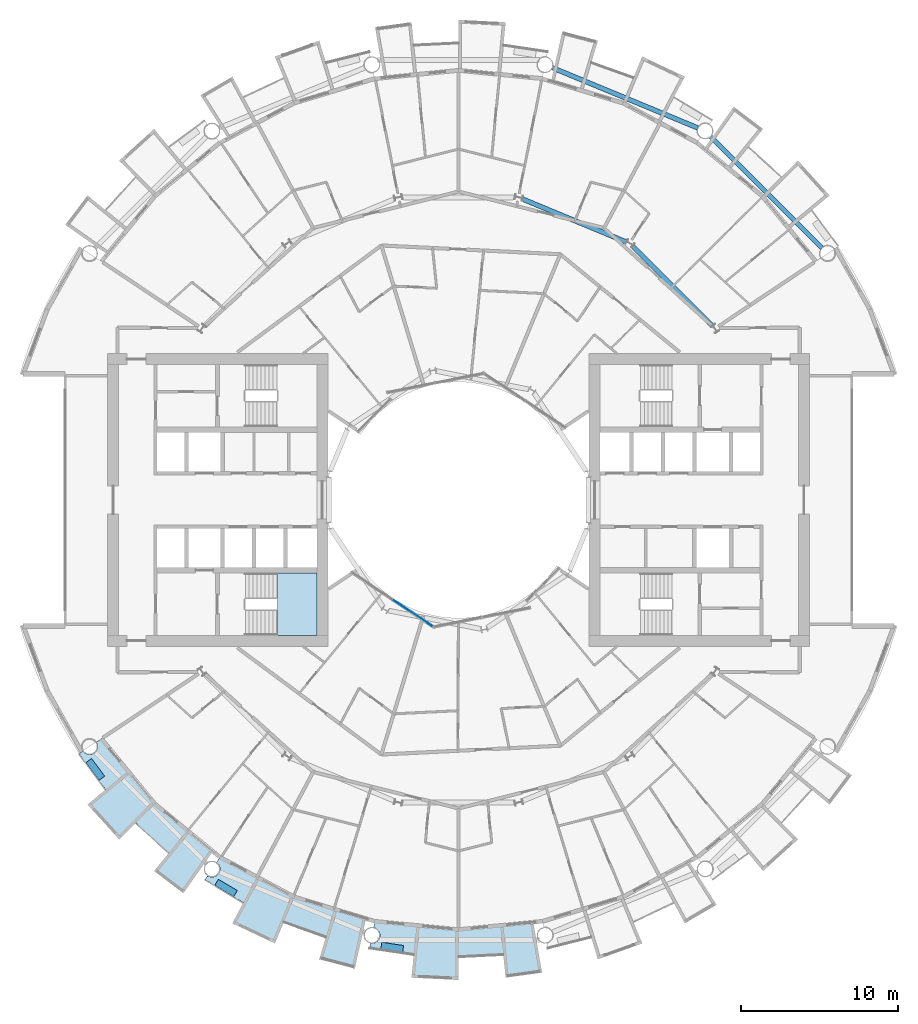
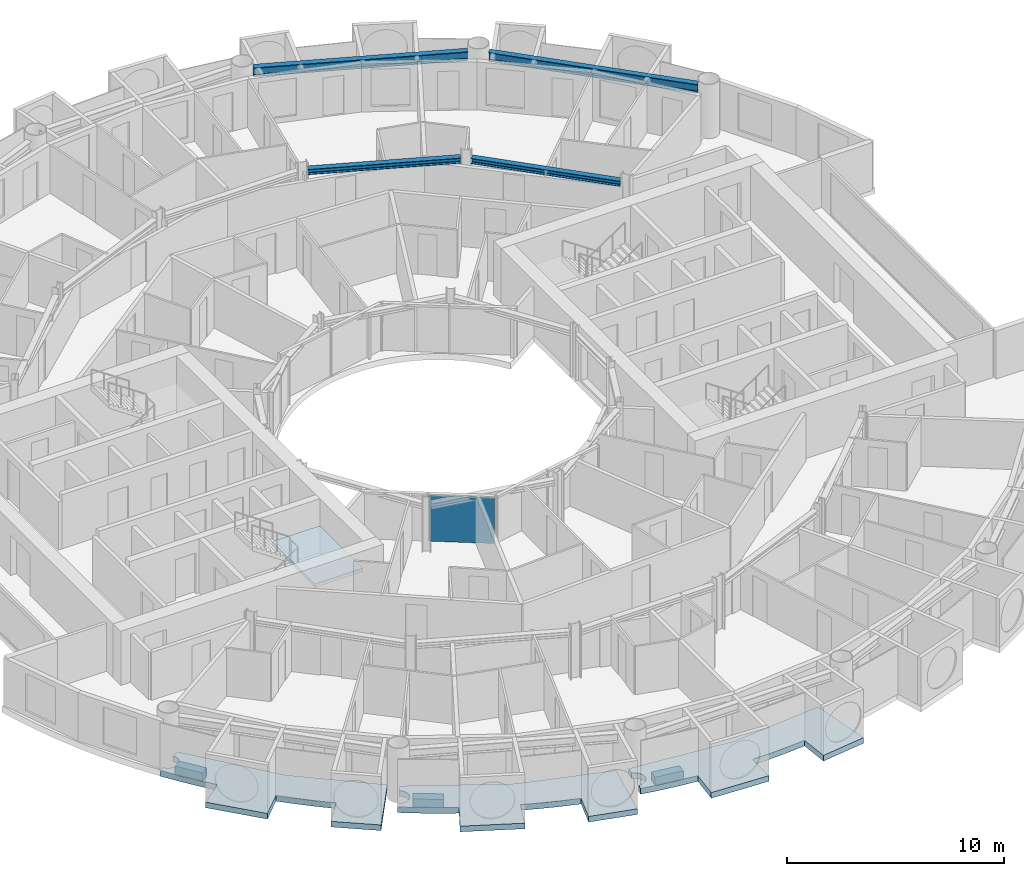
# One storey, part 9 of 26: 7 slabs, 4 beams, 1 plate, 2 elements without a shape of their own.
"""IFC4 building model written with IfcOpenShell, lengths in metres."""

import ifcopenshell
import ifcopenshell.guid

model = None  # the IFC model being written
_history = None  # IfcOwnerHistory: only IFC2X3 demands one
_inside = {}  # id of a spatial element -> (the spatial element, [elements in it])
_under = {}  # id of a project, library or spatial element -> (it, [spatial elements below it])
_declared = {}  # id of a project -> (the project, [libraries it declares])
_typed = {}  # id of a type object -> (the type object, [elements of that type])
_made_of = {}  # id of a material, layer set ... -> (it, [elements and type objects made of it])


def new_model(schema):
    """Start an empty IFC model of exactly this schema.

    Asked for "IFC4X3", IfcOpenShell would pick the latest addendum, in which some entities
    have other attributes; the version numbers below select the first issue.
    IFC2X3 requires an IfcOwnerHistory on every rooted entity: one is made here for all.
    """
    global model, _history
    if schema == "IFC4X3":
        model = ifcopenshell.file(schema_version=(4, 3, 0, 0))
    else:
        model = ifcopenshell.file(schema=schema)
    _inside.clear()
    _under.clear()
    _declared.clear()
    _typed.clear()
    _made_of.clear()
    _history = None
    if model.schema == "IFC2X3":
        org = make("IfcOrganization", Name="unknown")
        user = make(
            "IfcPersonAndOrganization",
            ThePerson=make("IfcPerson", FamilyName="unknown"),
            TheOrganization=org,
        )
        app = make(
            "IfcApplication",
            ApplicationDeveloper=org,
            Version="unknown",
            ApplicationFullName="unknown",
            ApplicationIdentifier="unknown",
        )
        _history = make(
            "IfcOwnerHistory",
            OwningUser=user,
            OwningApplication=app,
            ChangeAction="ADDED",
            CreationDate=0,
        )
    return model


def make(cls, **values):
    """One entity of the class cls with the attributes given. An attribute that is None is left unset."""
    return model.create_entity(
        cls, **{name: value for name, value in values.items() if value is not None}
    )


def rooted(cls, **values):
    """An entity with a GlobalId (a new one), such as an element, a storey or a relation."""
    return make(cls, GlobalId=ifcopenshell.guid.new(), OwnerHistory=_history, **values)


def si_unit(unit_type, name, prefix=None):
    """IfcSIUnit, for example si_unit("LENGTHUNIT", "METRE", prefix="MILLI")."""
    return make("IfcSIUnit", UnitType=unit_type, Prefix=prefix, Name=name)


def assignment(units):
    """IfcUnitAssignment: the units of a project."""
    return None if units is None else make("IfcUnitAssignment", Units=units)


def point(xyz):
    """IfcCartesianPoint."""
    return None if xyz is None else make("IfcCartesianPoint", Coordinates=xyz)


def direction(xyz):
    """IfcDirection."""
    return None if xyz is None else make("IfcDirection", DirectionRatios=xyz)


def frame(location, z_axis=None, x_axis=None):
    """IfcAxis2Placement3D, a coordinate frame: its origin and axes. An axis left out is left unset."""
    return make(
        "IfcAxis2Placement3D",
        Location=point(location),
        Axis=direction(z_axis),
        RefDirection=direction(x_axis),
    )


def frame_2d(location, x_axis=None):
    """IfcAxis2Placement2D, a coordinate frame in the plane: its origin and x axis."""
    return make(
        "IfcAxis2Placement2D", Location=point(location), RefDirection=direction(x_axis)
    )


def origin():
    """The frame at (0, 0, 0) with its axes left unset."""
    return frame((0.0, 0.0, 0.0))


def origin_2d():
    """The frame at (0, 0) in the plane with its x axis left unset."""
    return frame_2d((0.0, 0.0))


def place(relative_to, where):
    """IfcLocalPlacement: puts the frame where relative to a parent placement (None: the world)."""
    return make(
        "IfcLocalPlacement", PlacementRelTo=relative_to, RelativePlacement=where
    )


def context(
    kind, dimensions, precision=None, world=None, true_north=None, identifier=None
):
    """IfcGeometricRepresentationContext, for example the 3D "Model" context."""
    return make(
        "IfcGeometricRepresentationContext",
        ContextIdentifier=identifier,
        ContextType=kind,
        CoordinateSpaceDimension=dimensions,
        Precision=precision,
        WorldCoordinateSystem=world,
        TrueNorth=true_north,
    )


def subcontext(parent, identifier, kind, view, scale=None):
    """IfcGeometricRepresentationSubContext, for example "Body" below "Model"."""
    return make(
        "IfcGeometricRepresentationSubContext",
        ContextIdentifier=identifier,
        ContextType=kind,
        ParentContext=parent,
        TargetScale=scale,
        TargetView=view,
    )


def project(units=None, contexts=None):
    """IfcProject with its units and contexts."""
    return rooted(
        "IfcProject",
        Name="project",
        RepresentationContexts=contexts,
        UnitsInContext=assignment(units),
    )


def spatial(cls, under=None, at=None, **own):
    """A site, building, storey or space (cls), placed at a placement, below another one or the project."""
    s = rooted(cls, ObjectPlacement=at, **own)
    if under is not None:
        _under.setdefault(under.id(), (under, []))[1].append(s)
    return s


def polyline(points):
    """IfcPolyline through the points."""
    return make("IfcPolyline", Points=[point(p) for p in points])


def profile(cls, at=None, kind="AREA", **sizes):
    """A parametric profile (cls). Its sizes go by their IFC names, for example OverallWidth=200.0."""
    return make(cls, ProfileType=kind, Position=at, **sizes)


def rectangle(**sizes):
    """IfcRectangleProfileDef."""
    return profile("IfcRectangleProfileDef", **sizes)


def i_section(**sizes):
    """IfcIShapeProfileDef."""
    return profile("IfcIShapeProfileDef", **sizes)


def outline(outer, holes=None, kind="AREA"):
    """IfcArbitraryClosedProfileDef: a profile drawn as a closed curve; with holes, ...WithVoids."""
    if holes is None:
        return make("IfcArbitraryClosedProfileDef", ProfileType=kind, OuterCurve=outer)
    return make(
        "IfcArbitraryProfileDefWithVoids",
        ProfileType=kind,
        OuterCurve=outer,
        InnerCurves=holes,
    )


def extrude(swept, where, along, depth):
    """IfcExtrudedAreaSolid: the profile swept, set in the frame where, extruded along a direction by depth."""
    return make(
        "IfcExtrudedAreaSolid",
        SweptArea=swept,
        Position=where,
        ExtrudedDirection=direction(along),
        Depth=depth,
    )


def shape(context_of_items, identifier, shape_type, items):
    """IfcShapeRepresentation: the items that make up one representation, for example the "Body"."""
    return make(
        "IfcShapeRepresentation",
        ContextOfItems=context_of_items,
        RepresentationIdentifier=identifier,
        RepresentationType=shape_type,
        Items=items,
    )


def material(Name=None, Category=None):
    """IfcMaterial."""
    return make("IfcMaterial", Name=Name, Category=Category)


def layer(
    of_material, thickness, ventilated=None, Name=None, Category=None, Priority=None
):
    """IfcMaterialLayer: one layer of a wall or slab, of a material (None: an air gap)."""
    return make(
        "IfcMaterialLayer",
        Material=of_material,
        LayerThickness=thickness,
        IsVentilated=ventilated,
        Name=Name,
        Category=Category,
        Priority=Priority,
    )


def layer_set(layers, Name=None):
    """IfcMaterialLayerSet."""
    return make("IfcMaterialLayerSet", MaterialLayers=layers, LayerSetName=Name)


def material_profile(
    of_material, cross_section, Name=None, Category=None, Priority=None
):
    """IfcMaterialProfile: a cross section and its material."""
    return make(
        "IfcMaterialProfile",
        Name=Name,
        Material=of_material,
        Profile=cross_section,
        Priority=Priority,
        Category=Category,
    )


def profile_set(profiles, Name=None, composite=None):
    """IfcMaterialProfileSet."""
    return make(
        "IfcMaterialProfileSet",
        Name=Name,
        MaterialProfiles=profiles,
        CompositeProfile=composite,
    )


def made_of(thing, what):
    """Note that an element or type object is made of a material, layer set ...; save() writes the relation."""
    if what is not None:
        _made_of.setdefault(what.id(), (what, []))[1].append(thing)
    return thing


def type_object(cls, material=None, **own):
    """A type object (cls), such as IfcWallType, which elements share."""
    return made_of(rooted(cls, **own), material)


def element(
    cls,
    number,
    at=None,
    inside=None,
    cuts=None,
    type_object=None,
    material=None,
    context=None,
    identifier="Body",
    shape_type=None,
    held_by="IfcProductDefinitionShape",
    body=None,
    shapes=None,
    **own,
):
    """One element of the class cls, such as IfcWall. Its Tag is "e" and its number.

    at: its placement. inside: the storey or other place that contains it. cuts: it is an
    opening in that element (IfcRelVoidsElement). A single representation is given by context,
    identifier, shape_type and body (its items); several are given by shapes. held_by: the class
    of the entity that holds the representations. save() writes the other relations.
    """
    e = rooted(cls, Tag="e%d" % number, ObjectPlacement=at, **own)
    if body is not None:
        shapes = [shape(context, identifier, shape_type, body)]
    if shapes is not None:
        e.Representation = make(held_by, Representations=shapes)
    if inside is not None:
        _inside.setdefault(inside.id(), (inside, []))[1].append(e)
    if cuts is not None:
        rooted(
            "IfcRelVoidsElement", RelatingBuildingElement=cuts, RelatedOpeningElement=e
        )
    if type_object is not None:
        _typed.setdefault(type_object.id(), (type_object, []))[1].append(e)
    return made_of(e, material)


def aggregate(whole, parts):
    """IfcRelAggregates: a whole, such as a stair, and the parts it consists of."""
    return rooted("IfcRelAggregates", RelatingObject=whole, RelatedObjects=parts)


def save(model, path):
    """Write the relations noted so far, then the file.

    IfcRelAggregates (storeys below a building ...), IfcRelContainedInSpatialStructure (elements
    in a storey), IfcRelDefinesByType, IfcRelAssociatesMaterial and IfcRelDeclares: one each for
    every whole, place, type object, material and project.
    """
    for whole, parts in _under.values():
        aggregate(whole, parts)
    for where, things in _inside.values():
        rooted(
            "IfcRelContainedInSpatialStructure",
            RelatedElements=things,
            RelatingStructure=where,
        )
    for kind, things in _typed.values():
        rooted("IfcRelDefinesByType", RelatedObjects=things, RelatingType=kind)
    for what, things in _made_of.values():
        rooted("IfcRelAssociatesMaterial", RelatedObjects=things, RelatingMaterial=what)
    for by, libraries in _declared.values():
        rooted("IfcRelDeclares", RelatingContext=by, RelatedDefinitions=libraries)
    model.write(path)


model = new_model("IFC4")

# Units and contexts
model_context = context("Model", 3, precision=1e-05, world=origin(), true_north=direction((0.0, 1.0)))
body_context = subcontext(model_context, "Body", "Model", "MODEL_VIEW")
ifc_project = project(units=[si_unit("LENGTHUNIT", "METRE"), si_unit("AREAUNIT", "SQUARE_METRE"), si_unit("VOLUMEUNIT", "CUBIC_METRE"), si_unit("PLANEANGLEUNIT", "RADIAN"), si_unit("MASSUNIT", "GRAM", prefix="KILO")], contexts=[model_context])

# Site, building, storey
site_placement = place(None, origin())
site = spatial("IfcSite", under=ifc_project, at=site_placement, CompositionType="ELEMENT")
building_placement = place(site_placement, origin())
building = spatial("IfcBuilding", under=site, at=building_placement, Name="Maasbend Ring Residences", CompositionType="ELEMENT")
storey_placement = place(building_placement, frame((0.0, 0.0, 84.949951171875)))
storey = spatial("IfcBuildingStorey", under=building, at=storey_placement, Name="L24", CompositionType="ELEMENT", Elevation=84.949951171875)

# Beams
ifc_material_1 = material(Name="Steel S355J2", Category="steel")
ifc_material_profile_1 = material_profile(ifc_material_1, i_section(OverallWidth=0.300048828125, OverallDepth=0.300048828125, WebThickness=0.010986328125, FlangeThickness=0.01904296875, FilletRadius=0.027099609375, at=origin_2d()), Name="HEB 300")
ifc_profile_set_1 = profile_set([ifc_material_profile_1], Name="Steel S355J2")
beam_type_1 = type_object("IfcBeamType", Name="Corridor ring beam HEB 300", PredefinedType="BEAM", material=ifc_profile_set_1)
for number, where, z_axis, x_axis, name in (
    (1, (16.10791015625, 11.078125, 2.550048828125), (-0.707106781187, 0.707106781187, 0.0), (-0.707106781187, -0.707106781187, 0.0), "Corridor ring beam"),
    (2, (10.642333984375, 16.39892578125, 2.550048828125), (-0.923877113721, 0.382689271788, 0.0), (-0.382689271788, -0.923877113721, 0.0), "Corridor ring beam"),
):
    element("IfcBeam", number, at=place(storey_placement, frame(where, z_axis=z_axis, x_axis=x_axis)), inside=storey, type_object=beam_type_1, Name=name, PredefinedType="BEAM", context=body_context, shape_type="SweptSolid", body=[
        extrude(i_section(OverallWidth=0.300048828125, OverallDepth=0.300048828125, WebThickness=0.010986328125, FlangeThickness=0.01904296875, FilletRadius=0.027099609375, at=origin_2d()), origin(), (0.0, 0.0, 1.0), 7.11328125),
    ])
ifc_material_2 = material(Name="Steel S355J2", Category="steel")
ifc_material_profile_2 = material_profile(ifc_material_2, i_section(OverallWidth=0.300048828125, OverallDepth=0.5, WebThickness=0.014404296875, FlangeThickness=0.028076171875, FilletRadius=0.027099609375, at=origin_2d()), Name="HEB 500")
ifc_profile_set_2 = profile_set([ifc_material_profile_2], Name="Steel S355J2")
beam_type_2 = type_object("IfcBeamType", Name="Spandrel ring beam HEB 500", PredefinedType="SPANDREL", material=ifc_profile_set_2)
beam_1_placement = place(storey_placement, frame((23.088134765625, 16.0263671875, 2.449951171875), z_axis=(-0.707106781187, 0.707106781187, 0.0), x_axis=(-0.707106781187, -0.707106781187, 0.0)))
element("IfcBeam", 3, at=beam_1_placement, inside=storey, type_object=beam_type_2, Name="Spandrel ring beam", PredefinedType="SPANDREL", context=body_context, shape_type="SweptSolid", body=[
    extrude(i_section(OverallWidth=0.300048828125, OverallDepth=0.5, WebThickness=0.014404296875, FlangeThickness=0.028076171875, FilletRadius=0.027099609375, at=origin_2d()), origin(), (0.0, 0.0, 1.0), 9.98681640625),
])
beam_2_placement = place(storey_placement, frame((15.19775390625, 23.641845703125, 2.449951171875), z_axis=(-0.923886337442, 0.382667003395, 0.0), x_axis=(-0.382667003395, -0.923886337442, 0.0)))
element("IfcBeam", 4, at=beam_2_placement, inside=storey, type_object=beam_type_2, Name="Spandrel ring beam", PredefinedType="SPANDREL", context=body_context, shape_type="SweptSolid", body=[
    extrude(i_section(OverallWidth=0.300048828125, OverallDepth=0.5, WebThickness=0.014404296875, FlangeThickness=0.028076171875, FilletRadius=0.027099609375, at=origin_2d()), origin(), (0.0, 0.0, 1.0), 9.9873046875),
])

# Stair, slab
ifc_material_3 = material(Name="Concrete C40/50", Category="concrete")
stair_type = type_object("IfcStairType", Name="CORE STAIR 18 RISERS", PredefinedType="HALF_TURN_STAIR", material=ifc_material_3)
stair_placement = place(storey_placement, origin())
stair = element("IfcStair", 5, at=stair_placement, inside=storey, type_object=stair_type, Name="L24 Exit stair ST-W1", PredefinedType="HALF_TURN_STAIR")
ifc_material_4 = material(Name="Concrete C40/50", Category="concrete")
ifc_layer_1 = layer(ifc_material_4, 0.199951171875)
ifc_layer_set_1 = layer_set([ifc_layer_1], Name="Concrete C40/50")
slab_type_1 = type_object("IfcSlabType", Name="CORE STAIR LANDING 200", PredefinedType="LANDING", material=ifc_layer_set_1)
slab_1_placement = place(storey_placement, frame((0.0, 0.0, 1.324951171875)))
slab_1 = element("IfcSlab", 6, at=slab_1_placement, type_object=slab_type_1, Name="ST-W1 landing 1", PredefinedType="LANDING", context=body_context, shape_type="SweptSolid", body=[
    extrude(outline(polyline([(-11.550048828125, -8.60009765625), (-9.0, -8.60009765625), (-9.0, -4.64990234375), (-11.550048828125, -4.64990234375), (-11.550048828125, -8.60009765625)])), origin(), (0.0, 0.0, 1.0), 0.2001953125),
])
aggregate(stair, [slab_1])

# Curtain wall, plate
ifc_material_5 = material(Name="Aluminium and clear glass", Category="aluminium")
ifc_layer_2 = layer(ifc_material_5, 0.179931640625)
ifc_layer_set_2 = layer_set([ifc_layer_2], Name="CW-W")
curtain_wall_type = type_object("IfcCurtainWallType", Name="CW-W", PredefinedType="NOTDEFINED", material=ifc_layer_set_2)
curtain_wall_placement = place(storey_placement, origin())
curtain_wall = element("IfcCurtainWall", 7, at=curtain_wall_placement, inside=storey, type_object=curtain_wall_type, Name="Well curtain wall S1", PredefinedType="NOTDEFINED")
ifc_material_6 = material(Name="Glass clear laminated", Category="glass")
ifc_layer_3 = layer(ifc_material_6, 0.031982421875)
ifc_layer_set_3 = layer_set([ifc_layer_3], Name="CWP-W")
plate_type = type_object("IfcPlateType", Name="CWP-W", PredefinedType="CURTAIN_PANEL", material=ifc_layer_set_3)
plate_placement = place(storey_placement, frame((-2.922119140625, -7.17578125, 0.0), z_axis=(0.0, 0.0, 1.0), x_axis=(0.831469612303, -0.55557023302, 0.0)))
plate = element("IfcPlate", 8, at=plate_placement, type_object=plate_type, Name="Glass panel well face", PredefinedType="CURTAIN_PANEL", context=body_context, shape_type="SweptSolid", body=[
    extrude(rectangle(XDim=3.053955078125, YDim=0.031982421875, at=origin_2d()), origin(), (0.0, 0.0, 1.0), 2.580078125),
])
aggregate(curtain_wall, [plate])

# Slabs
ifc_material_7 = material(Name="Planting with climbing greenery")
ifc_layer_4 = layer(ifc_material_7, 0.449951171875)
ifc_layer_set_4 = layer_set([ifc_layer_4], Name="PLANTER-LG")
slab_type_2 = type_object("IfcSlabType", Name="PLANTER-LG", PredefinedType="USERDEFINED", material=ifc_layer_set_4)
slab_2_placement = place(storey_placement, frame((0.0, 0.0, -0.030029296875)))
element("IfcSlab", 9, at=slab_2_placement, inside=storey, type_object=slab_type_2, Name="Planter with climbing greenery 1", ObjectType="PLANTER", PredefinedType="USERDEFINED", context=body_context, shape_type="SweptSolid", body=[
    extrude(outline(polyline([(-23.681884765625, -16.69189453125), (-22.847900390625, -17.81689453125), (-22.487060546875, -17.549072265625), (-23.321044921875, -16.424072265625), (-23.681884765625, -16.69189453125)])), origin(), (0.0, 0.0, 1.0), 0.4501953125),
])
slab_3_placement = place(storey_placement, frame((0.0, 0.0, -0.030029296875)))
element("IfcSlab", 10, at=slab_3_placement, inside=storey, type_object=slab_type_2, Name="Planter with climbing greenery 2", ObjectType="PLANTER", PredefinedType="USERDEFINED", context=body_context, shape_type="SweptSolid", body=[
    extrude(outline(polyline([(-15.490966796875, -24.48388671875), (-14.291015625, -25.2041015625), (-14.05908203125, -24.818115234375), (-15.260009765625, -24.097900390625), (-15.490966796875, -24.48388671875)])), origin(), (0.0, 0.0, 1.0), 0.4501953125),
])
slab_4_placement = place(storey_placement, frame((0.0, 0.0, -0.030029296875)))
element("IfcSlab", 11, at=slab_4_placement, inside=storey, type_object=slab_type_2, Name="Planter with climbing greenery 3", ObjectType="PLANTER", PredefinedType="USERDEFINED", context=body_context, shape_type="SweptSolid", body=[
    extrude(outline(polyline([(-4.94189453125, -28.549072265625), (-3.55810546875, -28.75390625), (-3.491943359375, -28.30908203125), (-4.8759765625, -28.10400390625), (-4.94189453125, -28.549072265625)])), origin(), (0.0, 0.0, 1.0), 0.4501953125),
])
ifc_material_8 = material(Name="Concrete C40/50", Category="concrete")
ifc_layer_5 = layer(ifc_material_8, 0.199951171875)
ifc_layer_set_5 = layer_set([ifc_layer_5], Name="Concrete C40/50")
slab_type_3 = type_object("IfcSlabType", Name="SL-LOGGIA", PredefinedType="FLOOR", material=ifc_layer_set_5)
slab_5_placement = place(storey_placement, frame((0.0, 0.0, -0.349853515625)))
element("IfcSlab", 12, at=slab_5_placement, inside=storey, type_object=slab_type_3, Name="Loggia floor 1", PredefinedType="FLOOR", context=body_context, shape_type="SweptSolid", body=[
    extrude(outline(polyline([(-15.9169921875, -23.888916015625), (-15.906982421875, -23.89501953125), (-15.89599609375, -23.90087890625), (-15.884033203125, -23.906982421875), (-15.873046875, -23.912109375), (-15.862060546875, -23.9169921875), (-15.85009765625, -23.9208984375), (-15.837890625, -23.926025390625), (-15.825927734375, -23.929931640625), (-15.81494140625, -23.93408203125), (-15.802978515625, -23.93701171875), (-15.791015625, -23.93994140625), (-15.778076171875, -23.943115234375), (-15.76611328125, -23.946044921875), (-15.75390625, -23.947998046875), (-15.741943359375, -23.949951171875), (-15.72900390625, -23.951904296875), (-15.717041015625, -23.952880859375), (-15.7041015625, -23.9541015625), (-15.69189453125, -23.955078125), (-15.679931640625, -23.955078125), (-15.6669921875, -23.955078125), (-15.655029296875, -23.955078125), (-15.64208984375, -23.955078125), (-15.6298828125, -23.9541015625), (-15.616943359375, -23.952880859375), (-15.60498046875, -23.951904296875), (-15.593017578125, -23.949951171875), (-15.580078125, -23.947998046875), (-15.568115234375, -23.946044921875), (-15.555908203125, -23.943115234375), (-15.5439453125, -23.93994140625), (-15.531982421875, -23.93701171875), (-15.52001953125, -23.93408203125), (-15.508056640625, -23.929931640625), (-15.49609375, -23.926025390625), (-15.48388671875, -23.9208984375), (-15.472900390625, -23.9169921875), (-15.4609375, -23.912109375), (-15.449951171875, -23.906982421875), (-15.43896484375, -23.90087890625), (-15.427978515625, -23.89501953125), (-15.4169921875, -23.888916015625), (-15.406005859375, -23.883056640625), (-15.39501953125, -23.876953125), (-15.385009765625, -23.8701171875), (-15.375, -23.863037109375), (-15.364013671875, -23.85498046875), (-15.35498046875, -23.847900390625), (-15.344970703125, -23.840087890625), (-15.3349609375, -23.83203125), (-15.325927734375, -23.823974609375), (-15.31689453125, -23.81494140625), (-15.30810546875, -23.806884765625), (-15.299072265625, -23.798095703125), (-15.291015625, -23.7890625), (-15.281982421875, -23.779052734375), (-15.27392578125, -23.77001953125), (-15.26708984375, -23.760009765625), (-15.259033203125, -23.75), (-15.251953125, -23.739990234375), (-15.2451171875, -23.72998046875), (-15.238037109375, -23.718994140625), (-15.23095703125, -23.708984375), (-15.22509765625, -23.697998046875), (-15.218994140625, -23.68701171875), (-15.212890625, -23.676025390625), (-15.2080078125, -23.6650390625), (-15.202880859375, -23.653076171875), (-15.197998046875, -23.64208984375), (-15.193115234375, -23.6298828125), (-15.18896484375, -23.618896484375), (-15.18505859375, -23.60693359375), (-15.180908203125, -23.594970703125), (-15.177978515625, -23.5830078125), (-15.174072265625, -23.571044921875), (-15.1708984375, -23.55908203125), (-15.1689453125, -23.547119140625), (-15.1669921875, -23.533935546875), (-15.1650390625, -23.52197265625), (-15.1630859375, -23.510009765625), (-15.162109375, -23.4970703125), (-15.159912109375, -23.485107421875), (-15.159912109375, -23.471923828125), (-15.158935546875, -23.4599609375), (-15.158935546875, -23.447021484375), (-15.158935546875, -23.43505859375), (-15.159912109375, -23.422119140625), (-15.159912109375, -23.409912109375), (-15.162109375, -23.39794921875), (-15.1630859375, -23.385009765625), (-15.1650390625, -23.373046875), (-15.1669921875, -23.361083984375), (-15.1689453125, -23.347900390625), (-15.1708984375, -23.3359375), (-15.174072265625, -23.323974609375), (-15.177978515625, -23.31201171875), (-15.180908203125, -23.300048828125), (-15.18505859375, -23.2880859375), (-15.18896484375, -23.27587890625), (-15.193115234375, -23.264892578125), (-15.197998046875, -23.2529296875), (-15.202880859375, -23.241943359375), (-15.2080078125, -23.22998046875), (-15.212890625, -23.218994140625), (-15.218994140625, -23.2080078125), (-15.22509765625, -23.197021484375), (-15.23095703125, -23.18603515625), (-15.238037109375, -23.176025390625), (-15.2451171875, -23.1650390625), (-15.251953125, -23.155029296875), (-15.259033203125, -23.14501953125), (-15.26708984375, -23.135009765625), (-15.27392578125, -23.125), (-15.281982421875, -23.115966796875), (-15.291015625, -23.10595703125), (-15.299072265625, -23.096923828125), (-15.30810546875, -23.087890625), (-15.31689453125, -23.0791015625), (-15.325927734375, -23.071044921875), (-15.3349609375, -23.06298828125), (-15.344970703125, -23.054931640625), (-15.35498046875, -23.047119140625), (-15.364013671875, -23.0390625), (-15.375, -23.031982421875), (-15.385009765625, -23.02490234375), (-15.1669921875, -22.698974609375), (-15.1669921875, -22.698974609375), (-15.1669921875, -22.698974609375), (-12.806884765625, -23.9609375), (-10.447021484375, -25.221923828125), (-10.447021484375, -25.221923828125), (-10.447021484375, -25.221923828125), (-7.886962890625, -25.9990234375), (-5.89111328125, -26.60400390625), (-5.89111328125, -26.60400390625), (-5.89111328125, -26.60400390625), (-6.593994140625, -29.779052734375), (-6.593994140625, -29.779052734375), (-6.593994140625, -29.779052734375), (-8.85400390625, -29.18701171875), (-8.85400390625, -29.18701171875), (-8.85400390625, -29.18701171875), (-8.41796875, -27.751953125), (-8.41796875, -27.751953125), (-8.41796875, -27.751953125), (-8.41796875, -27.751953125), (-8.41796875, -27.751953125), (-8.41796875, -27.751953125), (-8.41796875, -27.7509765625), (-8.41796875, -27.7509765625), (-8.41796875, -27.7509765625), (-8.41796875, -27.7509765625), (-8.41796875, -27.7509765625), (-8.4189453125, -27.7509765625), (-8.4189453125, -27.7509765625), (-8.4189453125, -27.7509765625), (-8.4189453125, -27.7509765625), (-8.4189453125, -27.7509765625), (-8.4189453125, -27.7509765625), (-9.322021484375, -27.4609375), (-9.322021484375, -27.4609375), (-10.215087890625, -27.14111328125), (-10.215087890625, -27.14111328125), (-11.096923828125, -26.79296875), (-11.096923828125, -26.79296875), (-11.096923828125, -26.79296875), (-11.097900390625, -26.79296875), (-11.097900390625, -26.79296875), (-11.097900390625, -26.79296875), (-11.097900390625, -26.79296875), (-11.097900390625, -26.79296875), (-11.097900390625, -26.79296875), (-11.097900390625, -26.79296875), (-11.097900390625, -26.79296875), (-11.097900390625, -26.79296875), (-11.097900390625, -26.79296875), (-11.097900390625, -26.79296875), (-11.097900390625, -26.79296875), (-11.097900390625, -26.79296875), (-11.097900390625, -26.79296875), (-11.672119140625, -28.177978515625), (-11.672119140625, -28.177978515625), (-11.672119140625, -28.177978515625), (-14.3779296875, -26.89892578125), (-14.3779296875, -26.89892578125), (-14.3779296875, -26.89892578125), (-13.6708984375, -25.575927734375), (-13.6708984375, -25.575927734375), (-13.6708984375, -25.575927734375), (-13.6708984375, -25.575927734375), (-13.6708984375, -25.575927734375), (-13.6708984375, -25.575927734375), (-13.6708984375, -25.575927734375), (-13.6708984375, -25.575927734375), (-13.6708984375, -25.575927734375), (-13.6708984375, -25.575927734375), (-13.6708984375, -25.575927734375), (-13.6708984375, -25.575927734375), (-13.6708984375, -25.575927734375), (-13.6708984375, -25.575927734375), (-13.6708984375, -25.575927734375), (-13.6708984375, -25.575927734375), (-13.6708984375, -25.574951171875), (-14.5, -25.114990234375), (-14.5, -25.114990234375), (-15.31396484375, -24.626953125), (-15.31396484375, -24.626953125), (-16.112060546875, -24.113037109375), (-16.112060546875, -24.113037109375), (-16.112060546875, -24.113037109375), (-15.948974609375, -23.8701171875), (-15.93896484375, -23.876953125), (-15.927978515625, -23.883056640625), (-15.9169921875, -23.888916015625)])), origin(), (0.0, 0.0, 1.0), 0.31982421875),
])
slab_6_placement = place(storey_placement, frame((0.0, 0.0, -0.349853515625)))
element("IfcSlab", 13, at=slab_6_placement, inside=storey, type_object=slab_type_3, Name="Loggia floor 3", PredefinedType="FLOOR", context=body_context, shape_type="SweptSolid", body=[
    extrude(outline(polyline([(-2.6630859375, -27.0380859375), (0.0, -27.300048828125), (0.0, -27.300048828125), (0.0, -27.300048828125), (2.6630859375, -27.0380859375), (4.739013671875, -26.8330078125), (4.739013671875, -26.8330078125), (4.739013671875, -26.8330078125), (5.303955078125, -30.034912109375), (5.303955078125, -30.034912109375), (5.303955078125, -30.034912109375), (2.989990234375, -30.35302734375), (2.989990234375, -30.35302734375), (2.989990234375, -30.35302734375), (2.843017578125, -28.861083984375), (2.843017578125, -28.861083984375), (2.843017578125, -28.861083984375), (2.843017578125, -28.861083984375), (2.842041015625, -28.861083984375), (2.842041015625, -28.861083984375), (2.842041015625, -28.861083984375), (2.842041015625, -28.861083984375), (2.842041015625, -28.861083984375), (2.842041015625, -28.860107421875), (2.842041015625, -28.860107421875), (2.842041015625, -28.860107421875), (2.842041015625, -28.860107421875), (2.842041015625, -28.860107421875), (2.842041015625, -28.860107421875), (2.842041015625, -28.860107421875), (2.842041015625, -28.860107421875), (1.89697265625, -28.93798828125), (1.89697265625, -28.93798828125), (0.948974609375, -28.98388671875), (0.948974609375, -28.98388671875), (0.0, -29.0), (0.0, -29.0), (0.0, -29.0), (0.0, -29.0), (0.0, -29.0), (0.0, -29.0), (0.0, -29.0), (0.0, -29.0), (0.0, -29.0), (0.0, -29.0), (0.0, -29.0), (0.0, -29.0), (0.0, -29.0), (0.0, -29.0), (0.0, -29.0), (0.0, -29.0), (0.0, -29.0), (0.0, -30.5), (0.0, -30.5), (0.0, -30.5), (-2.989990234375, -30.35302734375), (-2.989990234375, -30.35302734375), (-2.989990234375, -30.35302734375), (-2.843017578125, -28.861083984375), (-2.843017578125, -28.861083984375), (-2.843017578125, -28.861083984375), (-2.843017578125, -28.861083984375), (-2.843017578125, -28.861083984375), (-2.843017578125, -28.861083984375), (-2.843017578125, -28.861083984375), (-2.843017578125, -28.861083984375), (-2.843017578125, -28.860107421875), (-2.843017578125, -28.860107421875), (-2.843017578125, -28.860107421875), (-2.843017578125, -28.860107421875), (-2.843017578125, -28.860107421875), (-2.843017578125, -28.860107421875), (-2.843017578125, -28.860107421875), (-2.843017578125, -28.860107421875), (-2.843017578125, -28.860107421875), (-3.784912109375, -28.751953125), (-3.784912109375, -28.751953125), (-4.72412109375, -28.613037109375), (-4.72412109375, -28.613037109375), (-5.657958984375, -28.443115234375), (-5.657958984375, -28.443115234375), (-5.657958984375, -28.443115234375), (-5.60107421875, -28.156005859375), (-5.60107421875, -28.156005859375), (-5.587890625, -28.158935546875), (-5.575927734375, -28.160888671875), (-5.56396484375, -28.162109375), (-5.551025390625, -28.1640625), (-5.5390625, -28.1650390625), (-5.52587890625, -28.1650390625), (-5.513916015625, -28.166015625), (-5.501953125, -28.166015625), (-5.489013671875, -28.166015625), (-5.47705078125, -28.1650390625), (-5.464111328125, -28.1650390625), (-5.451904296875, -28.1640625), (-5.43896484375, -28.162109375), (-5.427001953125, -28.160888671875), (-5.4150390625, -28.158935546875), (-5.402099609375, -28.156005859375), (-5.389892578125, -28.154052734375), (-5.3779296875, -28.15087890625), (-5.365966796875, -28.14794921875), (-5.35400390625, -28.14404296875), (-5.342041015625, -28.139892578125), (-5.330078125, -28.135986328125), (-5.319091796875, -28.132080078125), (-5.306884765625, -28.126953125), (-5.2958984375, -28.123046875), (-5.283935546875, -28.116943359375), (-5.27294921875, -28.112060546875), (-5.261962890625, -28.10595703125), (-5.2509765625, -28.10009765625), (-5.239990234375, -28.093994140625), (-5.22998046875, -28.0869140625), (-5.218994140625, -28.080078125), (-5.208984375, -28.072998046875), (-5.198974609375, -28.06591796875), (-5.18896484375, -28.05908203125), (-5.178955078125, -28.051025390625), (-5.169921875, -28.04296875), (-5.159912109375, -28.034912109375), (-5.15087890625, -28.02587890625), (-5.14208984375, -28.01708984375), (-5.134033203125, -28.008056640625), (-5.125, -27.9990234375), (-5.116943359375, -27.989990234375), (-5.10888671875, -27.97998046875), (-5.10107421875, -27.970947265625), (-5.093017578125, -27.9609375), (-5.0859375, -27.950927734375), (-5.0791015625, -27.93994140625), (-5.072021484375, -27.929931640625), (-5.06591796875, -27.9189453125), (-5.05908203125, -27.907958984375), (-5.052978515625, -27.89794921875), (-5.048095703125, -27.886962890625), (-5.0419921875, -27.875), (-5.037109375, -27.864013671875), (-5.031982421875, -27.85302734375), (-5.028076171875, -27.841064453125), (-5.02294921875, -27.8291015625), (-5.01904296875, -27.81689453125), (-5.014892578125, -27.805908203125), (-5.011962890625, -27.7939453125), (-5.009033203125, -27.781982421875), (-5.006103515625, -27.76904296875), (-5.0029296875, -27.757080078125), (-5.0009765625, -27.7451171875), (-4.9990234375, -27.73291015625), (-4.9970703125, -27.719970703125), (-4.99609375, -27.7080078125), (-4.9951171875, -27.695068359375), (-4.993896484375, -27.68310546875), (-4.993896484375, -27.6708984375), (-4.993896484375, -27.657958984375), (-4.993896484375, -27.64599609375), (-4.993896484375, -27.633056640625), (-4.9951171875, -27.62109375), (-4.99609375, -27.60791015625), (-4.9970703125, -27.595947265625), (-4.9990234375, -27.583984375), (-5.0009765625, -27.571044921875), (-5.0029296875, -27.55908203125), (-5.006103515625, -27.547119140625), (-5.009033203125, -27.534912109375), (-5.011962890625, -27.52294921875), (-5.014892578125, -27.510986328125), (-5.01904296875, -27.4990234375), (-5.02294921875, -27.487060546875), (-5.028076171875, -27.47509765625), (-5.031982421875, -27.464111328125), (-5.037109375, -27.451904296875), (-5.0419921875, -27.44091796875), (-5.048095703125, -27.429931640625), (-5.052978515625, -27.4189453125), (-5.05908203125, -27.407958984375), (-5.06591796875, -27.39697265625), (-5.072021484375, -27.385986328125), (-5.0791015625, -27.3759765625), (-5.0859375, -27.365966796875), (-5.093017578125, -27.35498046875), (-5.10107421875, -27.345947265625), (-5.10888671875, -27.3359375), (-5.116943359375, -27.325927734375), (-5.125, -27.31689453125), (-5.134033203125, -27.30810546875), (-5.14208984375, -27.299072265625), (-5.15087890625, -27.2900390625), (-5.159912109375, -27.281982421875), (-5.169921875, -27.27294921875), (-5.178955078125, -27.264892578125), (-5.18896484375, -27.258056640625), (-5.198974609375, -27.25), (-5.208984375, -27.242919921875), (-5.218994140625, -27.236083984375), (-5.22998046875, -27.22900390625), (-5.239990234375, -27.221923828125), (-5.2509765625, -27.216064453125), (-5.261962890625, -27.2099609375), (-5.27294921875, -27.2041015625), (-5.283935546875, -27.198974609375), (-5.2958984375, -27.194091796875), (-5.306884765625, -27.18896484375), (-5.319091796875, -27.18408203125), (-5.330078125, -27.179931640625), (-5.342041015625, -27.176025390625), (-5.35400390625, -27.172119140625), (-5.365966796875, -27.1689453125), (-5.3779296875, -27.1650390625), (-5.389892578125, -27.162109375), (-5.402099609375, -27.159912109375), (-5.402099609375, -27.159912109375), (-5.325927734375, -26.77490234375), (-5.325927734375, -26.77490234375), (-5.325927734375, -26.77490234375), (-2.6630859375, -27.0380859375)])), origin(), (0.0, 0.0, 1.0), 0.31982421875),
])
slab_7_placement = place(storey_placement, frame((0.0, 0.0, -0.349853515625)))
element("IfcSlab", 14, at=slab_7_placement, inside=storey, type_object=slab_type_3, Name="Loggia floor 4", PredefinedType="FLOOR", context=body_context, shape_type="SweptSolid", body=[
    extrude(outline(polyline([(-23.85498046875, -15.969970703125), (-23.847900390625, -15.97998046875), (-23.840087890625, -15.989013671875), (-23.83203125, -15.9990234375), (-23.823974609375, -16.008056640625), (-23.81494140625, -16.01708984375), (-23.806884765625, -16.02587890625), (-23.798095703125, -16.034912109375), (-23.7890625, -16.0439453125), (-23.779052734375, -16.052001953125), (-23.77001953125, -16.06005859375), (-23.760009765625, -16.068115234375), (-23.75, -16.074951171875), (-23.739990234375, -16.08203125), (-23.72998046875, -16.089111328125), (-23.718994140625, -16.095947265625), (-23.708984375, -16.10302734375), (-23.697998046875, -16.10888671875), (-23.68701171875, -16.114990234375), (-23.676025390625, -16.12109375), (-23.6650390625, -16.1259765625), (-23.653076171875, -16.132080078125), (-23.64208984375, -16.135986328125), (-23.6298828125, -16.14111328125), (-23.618896484375, -16.14501953125), (-23.60693359375, -16.14892578125), (-23.594970703125, -16.153076171875), (-23.5830078125, -16.156982421875), (-23.571044921875, -16.159912109375), (-23.55908203125, -16.1630859375), (-23.547119140625, -16.1650390625), (-23.533935546875, -16.16796875), (-23.52197265625, -16.169921875), (-23.510009765625, -16.1708984375), (-23.4970703125, -16.173095703125), (-23.485107421875, -16.174072265625), (-23.471923828125, -16.174072265625), (-23.4599609375, -16.175048828125), (-23.447021484375, -16.175048828125), (-23.43505859375, -16.175048828125), (-23.422119140625, -16.174072265625), (-23.409912109375, -16.174072265625), (-23.39794921875, -16.173095703125), (-23.385009765625, -16.1708984375), (-23.373046875, -16.169921875), (-23.361083984375, -16.16796875), (-23.347900390625, -16.1650390625), (-23.3359375, -16.1630859375), (-23.323974609375, -16.159912109375), (-23.31201171875, -16.156982421875), (-23.300048828125, -16.153076171875), (-23.2880859375, -16.14892578125), (-23.27587890625, -16.14501953125), (-23.264892578125, -16.14111328125), (-23.2529296875, -16.135986328125), (-23.241943359375, -16.132080078125), (-23.22998046875, -16.1259765625), (-23.218994140625, -16.12109375), (-23.2080078125, -16.114990234375), (-23.197021484375, -16.10888671875), (-23.18603515625, -16.10302734375), (-23.176025390625, -16.095947265625), (-23.1650390625, -16.089111328125), (-23.155029296875, -16.08203125), (-23.14501953125, -16.074951171875), (-23.135009765625, -16.068115234375), (-23.125, -16.06005859375), (-23.115966796875, -16.052001953125), (-23.10595703125, -16.0439453125), (-23.096923828125, -16.034912109375), (-23.087890625, -16.02587890625), (-23.0791015625, -16.01708984375), (-23.071044921875, -16.008056640625), (-23.06298828125, -15.9990234375), (-23.054931640625, -15.989013671875), (-23.047119140625, -15.97998046875), (-23.0390625, -15.969970703125), (-23.031982421875, -15.9599609375), (-23.02490234375, -15.948974609375), (-23.01806640625, -15.93896484375), (-23.011962890625, -15.927978515625), (-23.0048828125, -15.9169921875), (-22.9990234375, -15.906982421875), (-22.993896484375, -15.89599609375), (-22.988037109375, -15.884033203125), (-22.98291015625, -15.873046875), (-22.97802734375, -15.862060546875), (-22.972900390625, -15.85009765625), (-22.968994140625, -15.837890625), (-22.965087890625, -15.825927734375), (-22.9609375, -15.81494140625), (-22.9580078125, -15.802978515625), (-22.955078125, -15.791015625), (-22.951904296875, -15.778076171875), (-22.948974609375, -15.76611328125), (-22.947021484375, -15.75390625), (-22.945068359375, -15.741943359375), (-22.943115234375, -15.72900390625), (-22.94189453125, -15.717041015625), (-22.94091796875, -15.7041015625), (-22.93994140625, -15.69189453125), (-22.93994140625, -15.679931640625), (-22.93896484375, -15.6669921875), (-22.93994140625, -15.655029296875), (-22.93994140625, -15.64208984375), (-22.94091796875, -15.6298828125), (-22.94189453125, -15.616943359375), (-22.943115234375, -15.60498046875), (-22.945068359375, -15.593017578125), (-22.947021484375, -15.580078125), (-22.948974609375, -15.568115234375), (-22.951904296875, -15.555908203125), (-22.955078125, -15.5439453125), (-22.9580078125, -15.531982421875), (-22.9609375, -15.52001953125), (-22.965087890625, -15.508056640625), (-22.968994140625, -15.49609375), (-22.972900390625, -15.48388671875), (-22.97802734375, -15.472900390625), (-22.98291015625, -15.4609375), (-22.988037109375, -15.449951171875), (-22.993896484375, -15.43896484375), (-22.9990234375, -15.427978515625), (-23.0048828125, -15.4169921875), (-23.011962890625, -15.406005859375), (-23.01806640625, -15.39501953125), (-23.02490234375, -15.385009765625), (-23.02490234375, -15.385009765625), (-22.698974609375, -15.1669921875), (-22.698974609375, -15.1669921875), (-22.698974609375, -15.1669921875), (-21.001953125, -17.236083984375), (-19.303955078125, -19.303955078125), (-19.303955078125, -19.303955078125), (-19.303955078125, -19.303955078125), (-17.236083984375, -21.001953125), (-15.623046875, -22.324951171875), (-15.623046875, -22.324951171875), (-15.623046875, -22.324951171875), (-17.488037109375, -24.989013671875), (-17.488037109375, -24.989013671875), (-17.488037109375, -24.989013671875), (-19.34912109375, -23.576904296875), (-19.34912109375, -23.576904296875), (-19.34912109375, -23.576904296875), (-18.39794921875, -22.41796875), (-18.39794921875, -22.41796875), (-18.39794921875, -22.41796875), (-18.39794921875, -22.41796875), (-18.39794921875, -22.41796875), (-18.39794921875, -22.4169921875), (-18.39794921875, -22.4169921875), (-18.39794921875, -22.4169921875), (-18.39794921875, -22.4169921875), (-18.39794921875, -22.4169921875), (-18.39794921875, -22.4169921875), (-18.39794921875, -22.4169921875), (-18.39794921875, -22.4169921875), (-18.39794921875, -22.4169921875), (-18.39794921875, -22.4169921875), (-18.39794921875, -22.4169921875), (-18.39794921875, -22.4169921875), (-19.12109375, -21.802978515625), (-19.12109375, -21.802978515625), (-19.823974609375, -21.166015625), (-19.823974609375, -21.166015625), (-20.506103515625, -20.506103515625), (-20.506103515625, -20.506103515625), (-20.506103515625, -20.506103515625), (-20.506103515625, -20.506103515625), (-20.506103515625, -20.506103515625), (-20.506103515625, -20.506103515625), (-20.506103515625, -20.506103515625), (-20.506103515625, -20.506103515625), (-20.506103515625, -20.506103515625), (-20.506103515625, -20.506103515625), (-20.506103515625, -20.506103515625), (-20.506103515625, -20.506103515625), (-20.506103515625, -20.506103515625), (-20.506103515625, -20.506103515625), (-20.506103515625, -20.506103515625), (-20.506103515625, -20.506103515625), (-20.506103515625, -20.506103515625), (-21.56689453125, -21.56689453125), (-21.56689453125, -21.56689453125), (-21.56689453125, -21.56689453125), (-23.576904296875, -19.34912109375), (-23.576904296875, -19.34912109375), (-23.576904296875, -19.34912109375), (-22.41796875, -18.39794921875), (-22.41796875, -18.39794921875), (-22.41796875, -18.39794921875), (-22.41796875, -18.39794921875), (-22.41796875, -18.39794921875), (-22.41796875, -18.39794921875), (-22.41796875, -18.39697265625), (-22.41796875, -18.39697265625), (-22.41796875, -18.39697265625), (-22.41796875, -18.39697265625), (-22.41796875, -18.39697265625), (-22.41796875, -18.39697265625), (-22.41796875, -18.39697265625), (-22.41796875, -18.39697265625), (-22.41796875, -18.39697265625), (-22.41796875, -18.39697265625), (-22.41796875, -18.39697265625), (-23.007080078125, -17.654052734375), (-23.007080078125, -17.654052734375), (-23.572998046875, -16.89208984375), (-23.572998046875, -16.89208984375), (-24.113037109375, -16.112060546875), (-24.113037109375, -16.112060546875), (-24.113037109375, -16.112060546875), (-23.8701171875, -15.948974609375), (-23.8701171875, -15.948974609375), (-23.863037109375, -15.9599609375), (-23.85498046875, -15.969970703125)])), origin(), (0.0, 0.0, 1.0), 0.31982421875),
])

save(model, "model.ifc")
